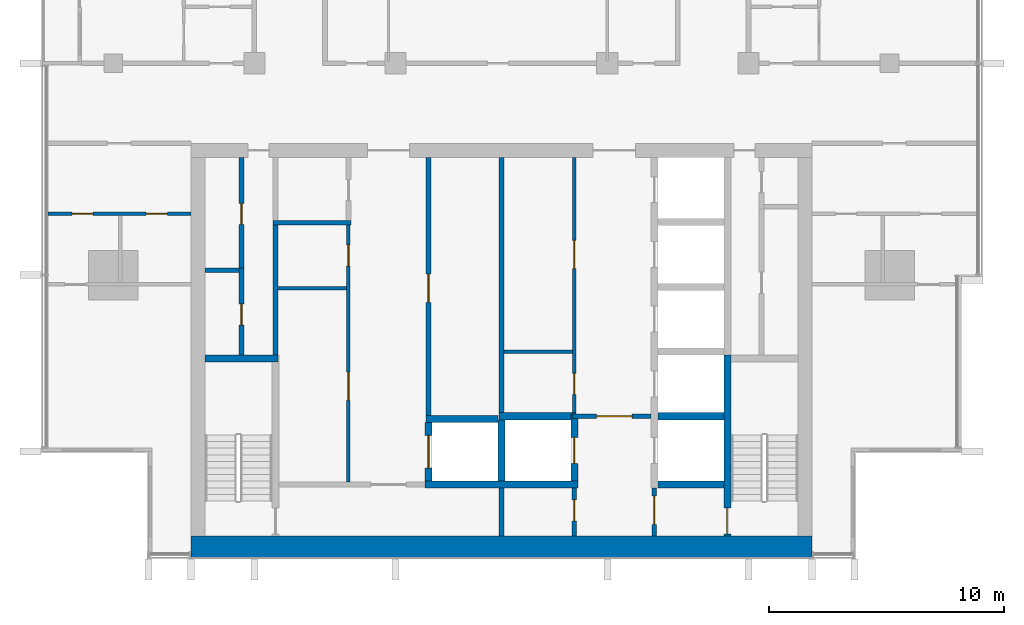
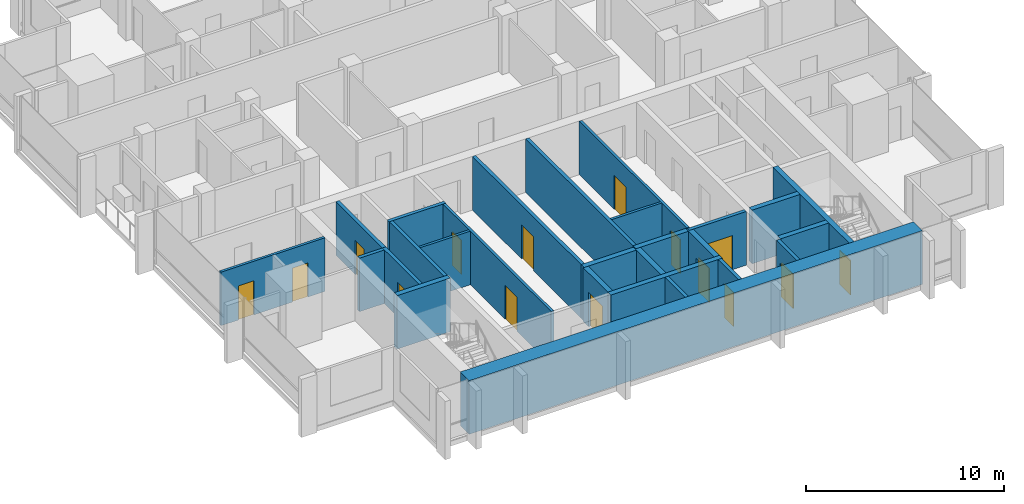
# One storey, part 7 of 16: 27 walls, 15 doors, 15 openings.
"""IFC4 building model written with IfcOpenShell, lengths in metres."""

from ifc_helpers import new_model, si_unit, direction, frame, frame_2d, origin, place, context, subcontext, project, spatial, rectangle, extrude, material, layer, layer_set, type_object, element, fill, save


model = new_model("IFC4")

# Units and contexts
model_context = context("Model", 3, precision=1e-05, world=origin(), true_north=direction((0.0, 1.0)))
body_context = subcontext(model_context, "Body", "Model", "MODEL_VIEW")
ifc_project = project(units=[si_unit("LENGTHUNIT", "METRE"), si_unit("AREAUNIT", "SQUARE_METRE"), si_unit("VOLUMEUNIT", "CUBIC_METRE"), si_unit("PLANEANGLEUNIT", "RADIAN"), si_unit("MASSUNIT", "GRAM", prefix="KILO")], contexts=[model_context])

# Site, building, storey
site_placement = place(None, origin())
site = spatial("IfcSite", under=ifc_project, at=site_placement, CompositionType="ELEMENT")
building_placement = place(site_placement, origin())
building = spatial("IfcBuilding", under=site, at=building_placement, Name="Finial Court Residences", CompositionType="ELEMENT")
storey_placement = place(building_placement, frame((0.0, 0.0, 233.89990234375)))
storey = spatial("IfcBuildingStorey", under=building, at=storey_placement, Name="L59", CompositionType="ELEMENT", Elevation=233.89990234375)

# Walls
ifc_material_1 = material(Name="Fire-rated gypsum board partition")
ifc_layer_1 = layer(ifc_material_1, 0.14990234375)
ifc_layer_set_1 = layer_set([ifc_layer_1], Name="Core room partition 150 EI 60")
wall_type_1 = type_object("IfcWallType", Name="Core room partition 150 EI 60", PredefinedType="PARTITIONING", material=ifc_layer_set_1)
wall_1_placement = place(storey_placement, frame((0.10009765625, -16.75, 0.0), z_axis=(0.0, 0.0, 1.0), x_axis=(1.0, 0.0, 0.0)))
element("IfcWall", 1, at=wall_1_placement, inside=storey, type_object=wall_type_1, Name="Core partition L59-10", PredefinedType="PARTITIONING", context=body_context, shape_type="SweptSolid", body=[
    extrude(rectangle(XDim=2.9248046875, YDim=0.14990234375, at=frame_2d((1.46240234375, 0.0))), origin(), (0.0, 0.0, 1.0), 3.300048828125),
])
wall_2_placement = place(storey_placement, frame((-9.5, -14.06005859375, 0.0), z_axis=(0.0, 0.0, 1.0), x_axis=(1.0, 0.0, 0.0)))
element("IfcWall", 2, at=wall_2_placement, inside=storey, type_object=wall_type_1, Name="Core partition L59-12", PredefinedType="PARTITIONING", context=body_context, shape_type="SweptSolid", body=[
    extrude(rectangle(XDim=2.925048828125, YDim=0.14990234375, at=frame_2d((1.46240234375, 0.0))), origin(), (0.0, 0.0, 1.0), 3.300048828125),
])

# Wall, openings, doors
wall_3_placement = place(storey_placement, frame((-6.5, -22.300048828125, 0.0), z_axis=(0.0, 0.0, 1.0), x_axis=(0.0, 1.0, 0.0)))
wall_3 = element("IfcWall", 3, at=wall_3_placement, inside=storey, type_object=wall_type_1, Name="Core partition L59-23", PredefinedType="PARTITIONING", context=body_context, shape_type="SweptSolid", body=[
    extrude(rectangle(XDim=10.920166015625, YDim=0.14990234375, at=frame_2d((5.4599609375, 0.0))), origin(), (0.0, 0.0, 1.0), 3.300048828125),
])
opening_1_placement = place(wall_3_placement, frame((3.469970703125, 0.0, 0.0)))
opening_1 = element("IfcOpeningElement", 4, at=opening_1_placement, cuts=wall_3, Name="Opening L59-C15", PredefinedType="OPENING", context=body_context, shape_type="SweptSolid", body=[
    extrude(rectangle(XDim=1.199951171875, YDim=2.10009765625, at=frame_2d((0.60009765625, 1.050048828125))), frame((0.0, 0.0849609375, 0.0), z_axis=(0.0, -1.0, 0.0), x_axis=(1.0, 0.0, 0.0)), (0.0, 0.0, 1.0), 0.169921875),
])
opening_2_placement = place(wall_3_placement, frame((9.179931640625, 0.0, 0.0)))
opening_2 = element("IfcOpeningElement", 5, at=opening_2_placement, cuts=wall_3, Name="Opening L59-C16", PredefinedType="OPENING", context=body_context, shape_type="SweptSolid", body=[
    extrude(rectangle(XDim=0.89990234375, YDim=2.10009765625, at=frame_2d((0.449951171875, 1.050048828125))), frame((0.0, 0.0849609375, 0.0), z_axis=(0.0, -1.0, 0.0), x_axis=(1.0, 0.0, 0.0)), (0.0, 0.0, 1.0), 0.169921875),
])
ifc_material_2 = material(Name="Steel fire door", Category="steel")
door_type_1 = type_object("IfcDoorType", Name="Core room door 1200 x 2100 EI 60", OperationType="NOTDEFINED", PredefinedType="DOOR", material=ifc_material_2)
door_1_placement = place(opening_1_placement, origin())
door_1 = element("IfcDoor", 6, at=door_1_placement, inside=storey, type_object=door_type_1, Name="Core room door L59-C15", OperationType="SINGLE_SWING_LEFT", OverallHeight=2.10009765625, OverallWidth=1.199951171875, PredefinedType="DOOR", context=body_context, shape_type="SweptSolid", body=[
    extrude(rectangle(XDim=1.199951171875, YDim=2.10009765625, at=frame_2d((0.60009765625, 1.050048828125))), frame((0.0, 0.02490234375, 0.0), z_axis=(0.0, -1.0, 0.0), x_axis=(1.0, 0.0, 0.0)), (0.0, 0.0, 1.0), 0.050048828125),
])
fill(opening_1, door_1)
door_type_2 = type_object("IfcDoorType", Name="Core room door 900 x 2100 EI 60", OperationType="NOTDEFINED", PredefinedType="DOOR", material=ifc_material_2)
door_2_placement = place(opening_2_placement, origin())
door_2 = element("IfcDoor", 7, at=door_2_placement, inside=storey, type_object=door_type_2, Name="Core room door L59-C16", OperationType="SINGLE_SWING_LEFT", OverallHeight=2.10009765625, OverallWidth=0.89990234375, PredefinedType="DOOR", context=body_context, shape_type="SweptSolid", body=[
    extrude(rectangle(XDim=0.89990234375, YDim=2.10009765625, at=frame_2d((0.449951171875, 1.050048828125))), frame((0.0, 0.02490234375, 0.0), z_axis=(0.0, -1.0, 0.0), x_axis=(1.0, 0.0, 0.0)), (0.0, 0.0, 1.0), 0.050048828125),
])
fill(opening_2, door_2)

wall_4_placement = place(storey_placement, frame((3.10009765625, -19.39990234375, 0.0), z_axis=(0.0, 0.0, 1.0), x_axis=(0.0, 1.0, 0.0)))
wall_4 = element("IfcWall", 8, at=wall_4_placement, inside=storey, type_object=wall_type_1, Name="Core partition L59-32", PredefinedType="PARTITIONING", context=body_context, shape_type="SweptSolid", body=[
    extrude(rectangle(XDim=10.89990234375, YDim=0.14990234375, at=frame_2d((5.449951171875, 0.0))), origin(), (0.0, 0.0, 1.0), 3.300048828125),
])
opening_3_placement = place(wall_4_placement, frame((0.824951171875, 0.0, 0.0)))
opening_3 = element("IfcOpeningElement", 9, at=opening_3_placement, cuts=wall_4, Name="Opening L59-C17", PredefinedType="OPENING", context=body_context, shape_type="SweptSolid", body=[
    extrude(rectangle(XDim=0.89990234375, YDim=2.10009765625, at=frame_2d((0.449951171875, 1.050048828125))), frame((0.0, 0.0849609375, 0.0), z_axis=(0.0, -1.0, 0.0), x_axis=(1.0, 0.0, 0.0)), (0.0, 0.0, 1.0), 0.169921875),
])
opening_4_placement = place(wall_4_placement, frame((6.175048828125, 0.0, 0.0)))
opening_4 = element("IfcOpeningElement", 10, at=opening_4_placement, cuts=wall_4, Name="Opening L59-C18", PredefinedType="OPENING", context=body_context, shape_type="SweptSolid", body=[
    extrude(rectangle(XDim=1.199951171875, YDim=2.10009765625, at=frame_2d((0.60009765625, 1.050048828125))), frame((0.0, 0.0849609375, 0.0), z_axis=(0.0, -1.0, 0.0), x_axis=(1.0, 0.0, 0.0)), (0.0, 0.0, 1.0), 0.169921875),
])
door_3_placement = place(opening_4_placement, origin())
door_3 = element("IfcDoor", 11, at=door_3_placement, inside=storey, type_object=door_type_1, Name="Core room door L59-C18", OperationType="SINGLE_SWING_LEFT", OverallHeight=2.10009765625, OverallWidth=1.199951171875, PredefinedType="DOOR", context=body_context, shape_type="SweptSolid", body=[
    extrude(rectangle(XDim=1.199951171875, YDim=2.10009765625, at=frame_2d((0.60009765625, 1.050048828125))), frame((0.0, 0.02490234375, 0.0), z_axis=(0.0, -1.0, 0.0), x_axis=(1.0, 0.0, 0.0)), (0.0, 0.0, 1.0), 0.050048828125),
])
fill(opening_4, door_3)
door_4_placement = place(opening_3_placement, origin())
door_4 = element("IfcDoor", 12, at=door_4_placement, inside=storey, type_object=door_type_2, Name="Core room door L59-C17", OperationType="SINGLE_SWING_LEFT", OverallHeight=2.10009765625, OverallWidth=0.89990234375, PredefinedType="DOOR", context=body_context, shape_type="SweptSolid", body=[
    extrude(rectangle(XDim=0.89990234375, YDim=2.10009765625, at=frame_2d((0.449951171875, 1.050048828125))), frame((0.0, 0.02490234375, 0.0), z_axis=(0.0, -1.0, 0.0), x_axis=(1.0, 0.0, 0.0)), (0.0, 0.0, 1.0), 0.050048828125),
])
fill(opening_3, door_4)

# Wall
ifc_material_3 = material(Name="Concrete C60/75", Category="concrete")
ifc_layer_2 = layer(ifc_material_3, 0.89990234375)
ifc_layer_set_2 = layer_set([ifc_layer_2], Name="Core south facade wall 900 Concrete C60/75")
wall_type_2 = type_object("IfcWallType", Name="Core south facade wall 900 Concrete C60/75", PredefinedType="SHEAR", material=ifc_layer_set_2)
wall_5_placement = place(storey_placement, frame((-13.199951171875, -25.050048828125, 0.0), z_axis=(0.0, 0.0, 1.0), x_axis=(1.0, 0.0, 0.0)))
element("IfcWall", 13, at=wall_5_placement, inside=storey, type_object=wall_type_2, Name="Core outer wall L59-01", PredefinedType="SHEAR", context=body_context, shape_type="SweptSolid", body=[
    extrude(rectangle(XDim=26.39990234375, YDim=0.89990234375, at=frame_2d((13.199951171875, 0.0))), origin(), (0.0, 0.0, 1.0), 3.300048828125),
])

# Wall, opening, door
ifc_layer_3 = layer(ifc_material_1, 0.199951171875)
ifc_layer_set_3 = layer_set([ifc_layer_3], Name="Firefighting lobby wall 200 EI 120")
wall_type_3 = type_object("IfcWallType", Name="Firefighting lobby wall 200 EI 120", PredefinedType="PARTITIONING", material=ifc_layer_set_3)
wall_6_placement = place(storey_placement, frame((6.35009765625, -19.5, 0.0), z_axis=(0.0, 0.0, 1.0), x_axis=(-1.0, 0.0, 0.0)))
wall_6 = element("IfcWall", 14, at=wall_6_placement, inside=storey, type_object=wall_type_3, Name="Core partition L59-06", PredefinedType="PARTITIONING", context=body_context, shape_type="SweptSolid", body=[
    extrude(rectangle(XDim=3.3251953125, YDim=0.199951171875, at=frame_2d((1.66259765625, 0.0))), origin(), (0.0, 0.0, 1.0), 3.300048828125),
])
opening_5_placement = place(wall_6_placement, frame((0.800048828125, 0.0, 0.0)))
opening_5 = element("IfcOpeningElement", 15, at=opening_5_placement, cuts=wall_6, Name="Opening L59-C02", PredefinedType="OPENING", context=body_context, shape_type="SweptSolid", body=[
    extrude(rectangle(XDim=1.5, YDim=2.10009765625, at=frame_2d((0.75, 1.050048828125))), frame((0.0, 0.10986328125, 0.0), z_axis=(0.0, -1.0, 0.0), x_axis=(1.0, 0.0, 0.0)), (0.0, 0.0, 1.0), 0.219970703125),
])
door_type_3 = type_object("IfcDoorType", Name="Firefighting lobby door 1500 x 2100 EI 90", OperationType="DOUBLE_DOOR_SINGLE_SWING", PredefinedType="DOOR", material=ifc_material_2)
door_5_placement = place(opening_5_placement, origin())
door_5 = element("IfcDoor", 16, at=door_5_placement, inside=storey, type_object=door_type_3, Name="Firefighting lobby door L59-C02", OperationType="DOUBLE_DOOR_SINGLE_SWING", OverallHeight=2.10009765625, OverallWidth=1.5, PredefinedType="DOOR", context=body_context, shape_type="SweptSolid", body=[
    extrude(rectangle(XDim=1.5, YDim=2.10009765625, at=frame_2d((0.75, 1.050048828125))), frame((0.0, 0.02490234375, 0.0), z_axis=(0.0, -1.0, 0.0), x_axis=(1.0, 0.0, 0.0)), (0.0, 0.0, 1.0), 0.050048828125),
])
fill(opening_5, door_5)

wall_7_placement = place(storey_placement, frame((3.10009765625, -24.60009765625, 0.0), z_axis=(0.0, 0.0, 1.0), x_axis=(0.0, 1.0, 0.0)))
wall_7 = element("IfcWall", 17, at=wall_7_placement, inside=storey, type_object=wall_type_3, Name="Core partition L59-30", PredefinedType="PARTITIONING", context=body_context, shape_type="SweptSolid", body=[
    extrude(rectangle(XDim=2.050048828125, YDim=0.199951171875, at=frame_2d((1.02490234375, 0.0))), origin(), (0.0, 0.0, 1.0), 3.300048828125),
])
opening_6_placement = place(wall_7_placement, frame((0.64990234375, 0.0, 0.0)))
opening_6 = element("IfcOpeningElement", 18, at=opening_6_placement, cuts=wall_7, Name="Opening L59-C06", PredefinedType="OPENING", context=body_context, shape_type="SweptSolid", body=[
    extrude(rectangle(XDim=0.89990234375, YDim=2.10009765625, at=frame_2d((0.449951171875, 1.050048828125))), frame((0.0, 0.10986328125, 0.0), z_axis=(0.0, -1.0, 0.0), x_axis=(1.0, 0.0, 0.0)), (0.0, 0.0, 1.0), 0.219970703125),
])
door_type_4 = type_object("IfcDoorType", Name="Riser room door 900 x 2100 EI 90", OperationType="NOTDEFINED", PredefinedType="DOOR", material=ifc_material_2)
door_6_placement = place(opening_6_placement, origin())
door_6 = element("IfcDoor", 19, at=door_6_placement, inside=storey, type_object=door_type_4, Name="Riser room door L59-C06", OperationType="SINGLE_SWING_LEFT", OverallHeight=2.10009765625, OverallWidth=0.89990234375, PredefinedType="DOOR", context=body_context, shape_type="SweptSolid", body=[
    extrude(rectangle(XDim=0.89990234375, YDim=2.10009765625, at=frame_2d((0.449951171875, 1.050048828125))), frame((0.0, 0.02490234375, 0.0), z_axis=(0.0, -1.0, 0.0), x_axis=(1.0, 0.0, 0.0)), (0.0, 0.0, 1.0), 0.050048828125),
])
fill(opening_6, door_6)

wall_8_placement = place(storey_placement, frame((6.5, -22.550048828125, 0.0), z_axis=(0.0, 0.0, 1.0), x_axis=(0.0, -1.0, 0.0)))
wall_8 = element("IfcWall", 20, at=wall_8_placement, inside=storey, type_object=wall_type_3, Name="Core partition L59-33", PredefinedType="PARTITIONING", context=body_context, shape_type="SweptSolid", body=[
    extrude(rectangle(XDim=2.050048828125, YDim=0.199951171875, at=frame_2d((1.02490234375, 0.0))), origin(), (0.0, 0.0, 1.0), 3.300048828125),
])
opening_7_placement = place(wall_8_placement, frame((0.35009765625, 0.0, 0.0)))
opening_7 = element("IfcOpeningElement", 21, at=opening_7_placement, cuts=wall_8, Name="Opening L59-C01", PredefinedType="OPENING", context=body_context, shape_type="SweptSolid", body=[
    extrude(rectangle(XDim=1.199951171875, YDim=2.10009765625, at=frame_2d((0.60009765625, 1.050048828125))), frame((0.0, 0.10986328125, 0.0), z_axis=(0.0, -1.0, 0.0), x_axis=(1.0, 0.0, 0.0)), (0.0, 0.0, 1.0), 0.219970703125),
])
door_type_5 = type_object("IfcDoorType", Name="Firefighting lobby door 1200 x 2100 EI 90", OperationType="NOTDEFINED", PredefinedType="DOOR", material=ifc_material_2)
door_7_placement = place(opening_7_placement, origin())
door_7 = element("IfcDoor", 22, at=door_7_placement, inside=storey, type_object=door_type_5, Name="Firefighting lobby door L59-C01", OperationType="SINGLE_SWING_RIGHT", OverallHeight=2.10009765625, OverallWidth=1.199951171875, PredefinedType="DOOR", context=body_context, shape_type="SweptSolid", body=[
    extrude(rectangle(XDim=1.199951171875, YDim=2.10009765625, at=frame_2d((0.60009765625, 1.050048828125))), frame((0.0, 0.02490234375, 0.0), z_axis=(0.0, -1.0, 0.0), x_axis=(1.0, 0.0, 0.0)), (0.0, 0.0, 1.0), 0.050048828125),
])
fill(opening_7, door_7)

# Wall, openings, doors
ifc_material_4 = material(Name="Moisture-resistant gypsum board")
ifc_layer_4 = layer(ifc_material_4, 0.012451171875)
ifc_material_5 = material(Name="Mineral wool in light-gauge frame")
ifc_layer_5 = layer(ifc_material_5, 0.125)
ifc_layer_6 = layer(ifc_material_4, 0.012451171875)
ifc_layer_set_4 = layer_set([ifc_layer_4, ifc_layer_5, ifc_layer_6], Name="Gypsum board wet-area partition 150")
wall_type_4 = type_object("IfcWallType", Name="Gypsum board wet-area partition 150", PredefinedType="PARTITIONING", material=ifc_layer_set_4)
wall_9_placement = place(storey_placement, frame((-19.262451171875, -10.89990234375, 0.0), z_axis=(0.0, 0.0, 1.0), x_axis=(1.0, 0.0, 0.0)))
wall_9 = element("IfcWall", 23, at=wall_9_placement, inside=storey, type_object=wall_type_4, Name="Partition L59-002", PredefinedType="PARTITIONING", context=body_context, shape_type="SweptSolid", body=[
    extrude(rectangle(XDim=6.0625, YDim=0.14990234375, at=frame_2d((3.03125, 0.0))), origin(), (0.0, 0.0, 1.0), 3.300048828125),
])
opening_8_placement = place(wall_9_placement, frame((1.011962890625, 0.0, 0.0)))
opening_8 = element("IfcOpeningElement", 24, at=opening_8_placement, cuts=wall_9, Name="Opening L59-D003", PredefinedType="OPENING", context=body_context, shape_type="SweptSolid", body=[
    extrude(rectangle(XDim=0.89990234375, YDim=2.10009765625, at=frame_2d((0.449951171875, 1.050048828125))), frame((0.0, 0.0849609375, 0.0), z_axis=(0.0, -1.0, 0.0), x_axis=(1.0, 0.0, 0.0)), (0.0, 0.0, 1.0), 0.169921875),
])
opening_9_placement = place(wall_9_placement, frame((4.162109375, 0.0, 0.0)))
opening_9 = element("IfcOpeningElement", 25, at=opening_9_placement, cuts=wall_9, Name="Opening L59-D004", PredefinedType="OPENING", context=body_context, shape_type="SweptSolid", body=[
    extrude(rectangle(XDim=0.89990234375, YDim=2.10009765625, at=frame_2d((0.449951171875, 1.050048828125))), frame((0.0, 0.0849609375, 0.0), z_axis=(0.0, -1.0, 0.0), x_axis=(1.0, 0.0, 0.0)), (0.0, 0.0, 1.0), 0.169921875),
])
ifc_material_6 = material(Name="Timber door leaf in timber frame", Category="wood")
door_type_6 = type_object("IfcDoorType", Name="Door set 900 x 2100", OperationType="SINGLE_SWING_LEFT", PredefinedType="DOOR", material=ifc_material_6)
door_8_placement = place(opening_8_placement, origin())
door_8 = element("IfcDoor", 26, at=door_8_placement, inside=storey, type_object=door_type_6, Name="Door L59-D003", OperationType="SINGLE_SWING_LEFT", OverallHeight=2.10009765625, OverallWidth=0.89990234375, PredefinedType="DOOR", context=body_context, shape_type="SweptSolid", body=[
    extrude(rectangle(XDim=0.89990234375, YDim=2.10009765625, at=frame_2d((0.449951171875, 1.050048828125))), frame((0.0, 0.02490234375, 0.0), z_axis=(0.0, -1.0, 0.0), x_axis=(1.0, 0.0, 0.0)), (0.0, 0.0, 1.0), 0.050048828125),
])
fill(opening_8, door_8)
door_9_placement = place(opening_9_placement, origin())
door_9 = element("IfcDoor", 27, at=door_9_placement, inside=storey, type_object=door_type_6, Name="Door L59-D004", OperationType="SINGLE_SWING_RIGHT", OverallHeight=2.10009765625, OverallWidth=0.89990234375, PredefinedType="DOOR", context=body_context, shape_type="SweptSolid", body=[
    extrude(rectangle(XDim=0.89990234375, YDim=2.10009765625, at=frame_2d((0.449951171875, 1.050048828125))), frame((0.0, 0.02490234375, 0.0), z_axis=(0.0, -1.0, 0.0), x_axis=(1.0, 0.0, 0.0)), (0.0, 0.0, 1.0), 0.050048828125),
])
fill(opening_9, door_9)

# Walls
ifc_layer_7 = layer(ifc_material_3, 0.300048828125)
ifc_layer_set_5 = layer_set([ifc_layer_7], Name="Lift shaft and stair wall 300 Concrete C60/75")
wall_type_5 = type_object("IfcWallType", Name="Lift shaft and stair wall 300 Concrete C60/75", PredefinedType="SHEAR", material=ifc_layer_set_5)
wall_10_placement = place(storey_placement, frame((-3.25, -22.39990234375, 0.0), z_axis=(0.0, 0.0, 1.0), x_axis=(1.0, 0.0, 0.0)))
element("IfcWall", 28, at=wall_10_placement, inside=storey, type_object=wall_type_5, Name="Core wall L59-02", PredefinedType="SHEAR", context=body_context, shape_type="SweptSolid", body=[
    extrude(rectangle(XDim=6.5, YDim=0.300048828125, at=frame_2d((3.25, 0.0))), origin(), (0.0, 0.0, 1.0), 3.300048828125),
])
wall_11_placement = place(storey_placement, frame((6.64990234375, -22.39990234375, 0.0), z_axis=(0.0, 0.0, 1.0), x_axis=(1.0, 0.0, 0.0)))
element("IfcWall", 29, at=wall_11_placement, inside=storey, type_object=wall_type_5, Name="Core wall L59-03", PredefinedType="SHEAR", context=body_context, shape_type="SweptSolid", body=[
    extrude(rectangle(XDim=2.800048828125, YDim=0.300048828125, at=frame_2d((1.39990234375, 0.0))), origin(), (0.0, 0.0, 1.0), 3.300048828125),
])
wall_12_placement = place(storey_placement, frame((-3.199951171875, -19.6201171875, 0.0), z_axis=(0.0, 0.0, 1.0), x_axis=(1.0, 0.0, 0.0)))
element("IfcWall", 30, at=wall_12_placement, inside=storey, type_object=wall_type_5, Name="Core wall L59-04", PredefinedType="SHEAR", context=body_context, shape_type="SweptSolid", body=[
    extrude(rectangle(XDim=3.050048828125, YDim=0.300048828125, at=frame_2d((1.52490234375, 0.0))), origin(), (0.0, 0.0, 1.0), 3.300048828125),
])
wall_13_placement = place(storey_placement, frame((-0.10009765625, -19.5, 0.0), z_axis=(0.0, 0.0, 1.0), x_axis=(1.0, 0.0, 0.0)))
element("IfcWall", 31, at=wall_13_placement, inside=storey, type_object=wall_type_5, Name="Core wall L59-05", PredefinedType="SHEAR", context=body_context, shape_type="SweptSolid", body=[
    extrude(rectangle(XDim=3.275146484375, YDim=0.300048828125, at=frame_2d((1.6376953125, 0.0))), origin(), (0.0, 0.0, 1.0), 3.300048828125),
])
wall_14_placement = place(storey_placement, frame((6.64990234375, -19.5, 0.0), z_axis=(0.0, 0.0, 1.0), x_axis=(1.0, 0.0, 0.0)))
element("IfcWall", 32, at=wall_14_placement, inside=storey, type_object=wall_type_5, Name="Core wall L59-07", PredefinedType="SHEAR", context=body_context, shape_type="SweptSolid", body=[
    extrude(rectangle(XDim=2.800048828125, YDim=0.300048828125, at=frame_2d((1.39990234375, 0.0))), origin(), (0.0, 0.0, 1.0), 3.300048828125),
])
wall_15_placement = place(storey_placement, frame((-12.60009765625, -17.050048828125, 0.0), z_axis=(0.0, 0.0, 1.0), x_axis=(1.0, 0.0, 0.0)))
element("IfcWall", 33, at=wall_15_placement, inside=storey, type_object=wall_type_5, Name="Core wall L59-08", PredefinedType="SHEAR", context=body_context, shape_type="SweptSolid", body=[
    extrude(rectangle(XDim=3.10009765625, YDim=0.300048828125, at=frame_2d((1.550048828125, 0.0))), origin(), (0.0, 0.0, 1.0), 3.300048828125),
])

# Wall, opening, door
wall_16_placement = place(storey_placement, frame((-3.10009765625, -22.25, 0.0), z_axis=(0.0, 0.0, 1.0), x_axis=(0.0, 1.0, 0.0)))
wall_16 = element("IfcWall", 34, at=wall_16_placement, inside=storey, type_object=wall_type_5, Name="Core wall L59-25", PredefinedType="SHEAR", context=body_context, shape_type="SweptSolid", body=[
    extrude(rectangle(XDim=2.47998046875, YDim=0.300048828125, at=frame_2d((1.239990234375, 0.0))), origin(), (0.0, 0.0, 1.0), 3.300048828125),
])
opening_10_placement = place(wall_16_placement, frame((0.5400390625, 0.0, 0.0)))
opening_10 = element("IfcOpeningElement", 35, at=opening_10_placement, cuts=wall_16, Name="Opening L59-LD07", PredefinedType="OPENING", context=body_context, shape_type="SweptSolid", body=[
    extrude(rectangle(XDim=1.39990234375, YDim=2.10009765625, at=frame_2d((0.699951171875, 1.050048828125))), frame((0.0, 0.159912109375, 0.0), z_axis=(0.0, -1.0, 0.0), x_axis=(1.0, 0.0, 0.0)), (0.0, 0.0, 1.0), 0.320068359375),
])
ifc_material_7 = material(Name="Stainless steel lift door", Category="steel")
door_type_7 = type_object("IfcDoorType", Name="Lift landing door 1400 x 2100 EI 90", OperationType="DOUBLE_DOOR_SLIDING", PredefinedType="DOOR", material=ifc_material_7)
door_10_placement = place(opening_10_placement, origin())
door_10 = element("IfcDoor", 36, at=door_10_placement, inside=storey, type_object=door_type_7, Name="Lift landing door SV1 L59", OperationType="DOUBLE_DOOR_SLIDING", OverallHeight=2.10009765625, OverallWidth=1.39990234375, PredefinedType="DOOR", context=body_context, shape_type="SweptSolid", body=[
    extrude(rectangle(XDim=1.39990234375, YDim=2.10009765625, at=frame_2d((0.699951171875, 1.050048828125))), frame((0.0, 0.02490234375, 0.0), z_axis=(0.0, -1.0, 0.0), x_axis=(1.0, 0.0, 0.0)), (0.0, 0.0, 1.0), 0.050048828125),
])
fill(opening_10, door_10)

# Wall
wall_17_placement = place(storey_placement, frame((0.0, -22.25, 0.0), z_axis=(0.0, 0.0, 1.0), x_axis=(0.0, 1.0, 0.0)))
element("IfcWall", 37, at=wall_17_placement, inside=storey, type_object=wall_type_5, Name="Core wall L59-28", PredefinedType="SHEAR", context=body_context, shape_type="SweptSolid", body=[
    extrude(rectangle(XDim=2.60009765625, YDim=0.300048828125, at=frame_2d((1.300048828125, 0.0))), origin(), (0.0, 0.0, 1.0), 3.300048828125),
])

# Wall, opening, door
wall_18_placement = place(storey_placement, frame((3.10009765625, -22.25, 0.0), z_axis=(0.0, 0.0, 1.0), x_axis=(0.0, 1.0, 0.0)))
wall_18 = element("IfcWall", 38, at=wall_18_placement, inside=storey, type_object=wall_type_5, Name="Core wall L59-31", PredefinedType="SHEAR", context=body_context, shape_type="SweptSolid", body=[
    extrude(rectangle(XDim=2.85009765625, YDim=0.300048828125, at=frame_2d((1.425048828125, 0.0))), origin(), (0.0, 0.0, 1.0), 3.300048828125),
])
opening_11_placement = place(wall_18_placement, frame((0.75, 0.0, 0.0)))
opening_11 = element("IfcOpeningElement", 39, at=opening_11_placement, cuts=wall_18, Name="Opening L59-LD01", PredefinedType="OPENING", context=body_context, shape_type="SweptSolid", body=[
    extrude(rectangle(XDim=1.10009765625, YDim=2.10009765625, at=frame_2d((0.550048828125, 1.050048828125))), frame((0.0, 0.159912109375, 0.0), z_axis=(0.0, -1.0, 0.0), x_axis=(1.0, 0.0, 0.0)), (0.0, 0.0, 1.0), 0.320068359375),
])
door_type_8 = type_object("IfcDoorType", Name="Lift landing door 1100 x 2100 EI 90", OperationType="DOUBLE_DOOR_SLIDING", PredefinedType="DOOR", material=ifc_material_7)
door_11_placement = place(opening_11_placement, origin())
door_11 = element("IfcDoor", 40, at=door_11_placement, inside=storey, type_object=door_type_8, Name="Lift landing door FF1 L59", OperationType="DOUBLE_DOOR_SLIDING", OverallHeight=2.10009765625, OverallWidth=1.10009765625, PredefinedType="DOOR", context=body_context, shape_type="SweptSolid", body=[
    extrude(rectangle(XDim=1.10009765625, YDim=2.10009765625, at=frame_2d((0.550048828125, 1.050048828125))), frame((0.0, 0.02490234375, 0.0), z_axis=(0.0, -1.0, 0.0), x_axis=(1.0, 0.0, 0.0)), (0.0, 0.0, 1.0), 0.050048828125),
])
fill(opening_11, door_11)

wall_19_placement = place(storey_placement, frame((9.60009765625, -16.89990234375, 0.0), z_axis=(0.0, 0.0, 1.0), x_axis=(0.0, -1.0, 0.0)))
wall_19 = element("IfcWall", 41, at=wall_19_placement, inside=storey, type_object=wall_type_5, Name="Core wall L59-35", PredefinedType="SHEAR", context=body_context, shape_type="SweptSolid", body=[
    extrude(rectangle(XDim=7.7001953125, YDim=0.300048828125, at=frame_2d((3.85009765625, 0.0))), origin(), (0.0, 0.0, 1.0), 3.300048828125),
])
opening_12_placement = place(wall_19_placement, frame((6.5, 0.0, 0.0)))
opening_12 = element("IfcOpeningElement", 42, at=opening_12_placement, cuts=wall_19, Name="Opening L59-C20", PredefinedType="OPENING", context=body_context, shape_type="SweptSolid", body=[
    extrude(rectangle(XDim=1.10009765625, YDim=2.10009765625, at=frame_2d((0.550048828125, 1.050048828125))), frame((0.0, 0.159912109375, 0.0), z_axis=(0.0, -1.0, 0.0), x_axis=(1.0, 0.0, 0.0)), (0.0, 0.0, 1.0), 0.320068359375),
])
door_type_9 = type_object("IfcDoorType", Name="Stair door 1100 x 2100 EI 90", OperationType="NOTDEFINED", PredefinedType="DOOR", material=ifc_material_2)
door_12_placement = place(opening_12_placement, origin())
door_12 = element("IfcDoor", 43, at=door_12_placement, inside=storey, type_object=door_type_9, Name="Stair door L59-C20", OperationType="SINGLE_SWING_RIGHT", OverallHeight=2.10009765625, OverallWidth=1.10009765625, PredefinedType="DOOR", context=body_context, shape_type="SweptSolid", body=[
    extrude(rectangle(XDim=1.10009765625, YDim=2.10009765625, at=frame_2d((0.550048828125, 1.050048828125))), frame((0.0, 0.02490234375, 0.0), z_axis=(0.0, -1.0, 0.0), x_axis=(1.0, 0.0, 0.0)), (0.0, 0.0, 1.0), 0.050048828125),
])
fill(opening_12, door_12)

# Walls
ifc_layer_8 = layer(ifc_material_1, 0.199951171875)
ifc_layer_set_6 = layer_set([ifc_layer_8], Name="Riser room wall 200 EI 120")
wall_type_6 = type_object("IfcWallType", Name="Riser room wall 200 EI 120", PredefinedType="PARTITIONING", material=ifc_layer_set_6)
wall_20_placement = place(storey_placement, frame((-12.60009765625, -13.300048828125, 0.0), z_axis=(0.0, 0.0, 1.0), x_axis=(1.0, 0.0, 0.0)))
element("IfcWall", 44, at=wall_20_placement, inside=storey, type_object=wall_type_6, Name="Core partition L59-14", PredefinedType="PARTITIONING", context=body_context, shape_type="SweptSolid", body=[
    extrude(rectangle(XDim=1.4501953125, YDim=0.199951171875, at=frame_2d((0.72509765625, 0.0))), origin(), (0.0, 0.0, 1.0), 3.300048828125),
])
wall_21_placement = place(storey_placement, frame((-9.699951171875, -11.280029296875, 0.0), z_axis=(0.0, 0.0, 1.0), x_axis=(1.0, 0.0, 0.0)))
element("IfcWall", 45, at=wall_21_placement, inside=storey, type_object=wall_type_6, Name="Core partition L59-15", PredefinedType="PARTITIONING", context=body_context, shape_type="SweptSolid", body=[
    extrude(rectangle(XDim=3.300048828125, YDim=0.199951171875, at=frame_2d((1.64990234375, 0.0))), origin(), (0.0, 0.0, 1.0), 3.300048828125),
])

# Wall, opening, door
wall_22_placement = place(storey_placement, frame((-11.050048828125, -13.39990234375, 0.0), z_axis=(0.0, 0.0, 1.0), x_axis=(0.0, 1.0, 0.0)))
wall_22 = element("IfcWall", 46, at=wall_22_placement, inside=storey, type_object=wall_type_6, Name="Core partition L59-19", PredefinedType="PARTITIONING", context=body_context, shape_type="SweptSolid", body=[
    extrude(rectangle(XDim=4.89990234375, YDim=0.199951171875, at=frame_2d((2.449951171875, 0.0))), origin(), (0.0, 0.0, 1.0), 3.300048828125),
])
opening_13_placement = place(wall_22_placement, frame((2.050048828125, 0.0, 0.0)))
opening_13 = element("IfcOpeningElement", 47, at=opening_13_placement, cuts=wall_22, Name="Opening L59-C07", PredefinedType="OPENING", context=body_context, shape_type="SweptSolid", body=[
    extrude(rectangle(XDim=0.89990234375, YDim=2.10009765625, at=frame_2d((0.449951171875, 1.050048828125))), frame((0.0, 0.10986328125, 0.0), z_axis=(0.0, -1.0, 0.0), x_axis=(1.0, 0.0, 0.0)), (0.0, 0.0, 1.0), 0.219970703125),
])
door_13_placement = place(opening_13_placement, origin())
door_13 = element("IfcDoor", 48, at=door_13_placement, inside=storey, type_object=door_type_4, Name="Riser room door L59-C07", OperationType="SINGLE_SWING_LEFT", OverallHeight=2.10009765625, OverallWidth=0.89990234375, PredefinedType="DOOR", context=body_context, shape_type="SweptSolid", body=[
    extrude(rectangle(XDim=0.89990234375, YDim=2.10009765625, at=frame_2d((0.449951171875, 1.050048828125))), frame((0.0, 0.02490234375, 0.0), z_axis=(0.0, -1.0, 0.0), x_axis=(1.0, 0.0, 0.0)), (0.0, 0.0, 1.0), 0.050048828125),
])
fill(opening_13, door_13)

wall_23_placement = place(storey_placement, frame((-3.10009765625, -8.5, 0.0), z_axis=(0.0, 0.0, 1.0), x_axis=(0.0, -1.0, 0.0)))
wall_23 = element("IfcWall", 49, at=wall_23_placement, inside=storey, type_object=wall_type_6, Name="Core partition L59-26", PredefinedType="PARTITIONING", context=body_context, shape_type="SweptSolid", body=[
    extrude(rectangle(XDim=10.969970703125, YDim=0.199951171875, at=frame_2d((5.48486328125, 0.0))), origin(), (0.0, 0.0, 1.0), 3.300048828125),
])
opening_14_placement = place(wall_23_placement, frame((4.9599609375, 0.0, 0.0)))
opening_14 = element("IfcOpeningElement", 50, at=opening_14_placement, cuts=wall_23, Name="Opening L59-C10", PredefinedType="OPENING", context=body_context, shape_type="SweptSolid", body=[
    extrude(rectangle(XDim=1.199951171875, YDim=2.10009765625, at=frame_2d((0.60009765625, 1.050048828125))), frame((0.0, 0.10986328125, 0.0), z_axis=(0.0, -1.0, 0.0), x_axis=(1.0, 0.0, 0.0)), (0.0, 0.0, 1.0), 0.219970703125),
])
door_type_10 = type_object("IfcDoorType", Name="Riser room door 1200 x 2100 EI 90", OperationType="NOTDEFINED", PredefinedType="DOOR", material=ifc_material_2)
door_14_placement = place(opening_14_placement, origin())
door_14 = element("IfcDoor", 51, at=door_14_placement, inside=storey, type_object=door_type_10, Name="Riser room door L59-C10", OperationType="SINGLE_SWING_RIGHT", OverallHeight=2.10009765625, OverallWidth=1.199951171875, PredefinedType="DOOR", context=body_context, shape_type="SweptSolid", body=[
    extrude(rectangle(XDim=1.199951171875, YDim=2.10009765625, at=frame_2d((0.60009765625, 1.050048828125))), frame((0.0, 0.02490234375, 0.0), z_axis=(0.0, -1.0, 0.0), x_axis=(1.0, 0.0, 0.0)), (0.0, 0.0, 1.0), 0.050048828125),
])
fill(opening_14, door_14)

# Walls
wall_24_placement = place(storey_placement, frame((0.0, -24.60009765625, 0.0), z_axis=(0.0, 0.0, 1.0), x_axis=(0.0, 1.0, 0.0)))
element("IfcWall", 52, at=wall_24_placement, inside=storey, type_object=wall_type_6, Name="Core partition L59-27", PredefinedType="PARTITIONING", context=body_context, shape_type="SweptSolid", body=[
    extrude(rectangle(XDim=2.050048828125, YDim=0.199951171875, at=frame_2d((1.02490234375, 0.0))), origin(), (0.0, 0.0, 1.0), 3.300048828125),
])
wall_25_placement = place(storey_placement, frame((0.0, -19.35009765625, 0.0), z_axis=(0.0, 0.0, 1.0), x_axis=(0.0, 1.0, 0.0)))
element("IfcWall", 53, at=wall_25_placement, inside=storey, type_object=wall_type_6, Name="Core partition L59-29", PredefinedType="PARTITIONING", context=body_context, shape_type="SweptSolid", body=[
    extrude(rectangle(XDim=10.85009765625, YDim=0.199951171875, at=frame_2d((5.425048828125, 0.0))), origin(), (0.0, 0.0, 1.0), 3.300048828125),
])

# Wall, opening, door
ifc_layer_9 = layer(ifc_material_1, 0.199951171875)
ifc_layer_set_7 = layer_set([ifc_layer_9], Name="Stair passage wall 200 EI 180")
wall_type_7 = type_object("IfcWallType", Name="Stair passage wall 200 EI 180", PredefinedType="PARTITIONING", material=ifc_layer_set_7)
wall_26_placement = place(storey_placement, frame((-11.050048828125, -16.89990234375, 0.0), z_axis=(0.0, 0.0, 1.0), x_axis=(0.0, 1.0, 0.0)))
wall_26 = element("IfcWall", 54, at=wall_26_placement, inside=storey, type_object=wall_type_7, Name="Core partition L59-18", PredefinedType="PARTITIONING", context=body_context, shape_type="SweptSolid", body=[
    extrude(rectangle(XDim=3.699951171875, YDim=0.199951171875, at=frame_2d((1.85009765625, 0.0))), origin(), (0.0, 0.0, 1.0), 3.300048828125),
])
opening_15_placement = place(wall_26_placement, frame((1.27490234375, 0.0, 0.0)))
opening_15 = element("IfcOpeningElement", 55, at=opening_15_placement, cuts=wall_26, Name="Opening L59-C13", PredefinedType="OPENING", context=body_context, shape_type="SweptSolid", body=[
    extrude(rectangle(XDim=0.89990234375, YDim=2.10009765625, at=frame_2d((0.449951171875, 1.050048828125))), frame((0.0, 0.10986328125, 0.0), z_axis=(0.0, -1.0, 0.0), x_axis=(1.0, 0.0, 0.0)), (0.0, 0.0, 1.0), 0.219970703125),
])
door_15_placement = place(opening_15_placement, origin())
door_15 = element("IfcDoor", 56, at=door_15_placement, inside=storey, type_object=door_type_2, Name="Core room door L59-C13", OperationType="SINGLE_SWING_LEFT", OverallHeight=2.10009765625, OverallWidth=0.89990234375, PredefinedType="DOOR", context=body_context, shape_type="SweptSolid", body=[
    extrude(rectangle(XDim=0.89990234375, YDim=2.10009765625, at=frame_2d((0.449951171875, 1.050048828125))), frame((0.0, 0.02490234375, 0.0), z_axis=(0.0, -1.0, 0.0), x_axis=(1.0, 0.0, 0.0)), (0.0, 0.0, 1.0), 0.050048828125),
])
fill(opening_15, door_15)

# Wall
wall_27_placement = place(storey_placement, frame((-9.60009765625, -16.89990234375, 0.0), z_axis=(0.0, 0.0, 1.0), x_axis=(0.0, 1.0, 0.0)))
element("IfcWall", 57, at=wall_27_placement, inside=storey, type_object=wall_type_7, Name="Core partition L59-21", PredefinedType="PARTITIONING", context=body_context, shape_type="SweptSolid", body=[
    extrude(rectangle(XDim=5.719970703125, YDim=0.199951171875, at=frame_2d((2.85986328125, 0.0))), origin(), (0.0, 0.0, 1.0), 3.300048828125),
])

save(model, "model.ifc")
